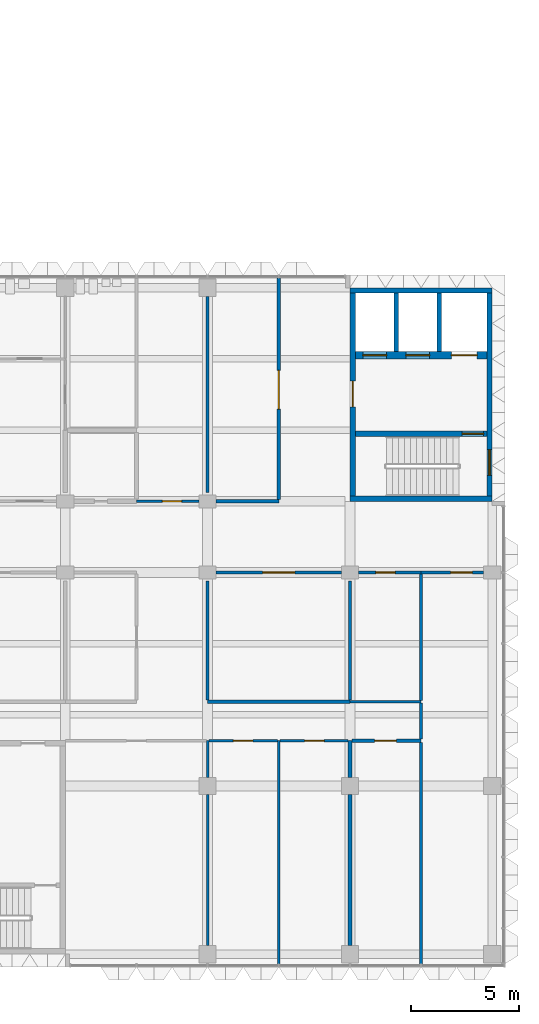
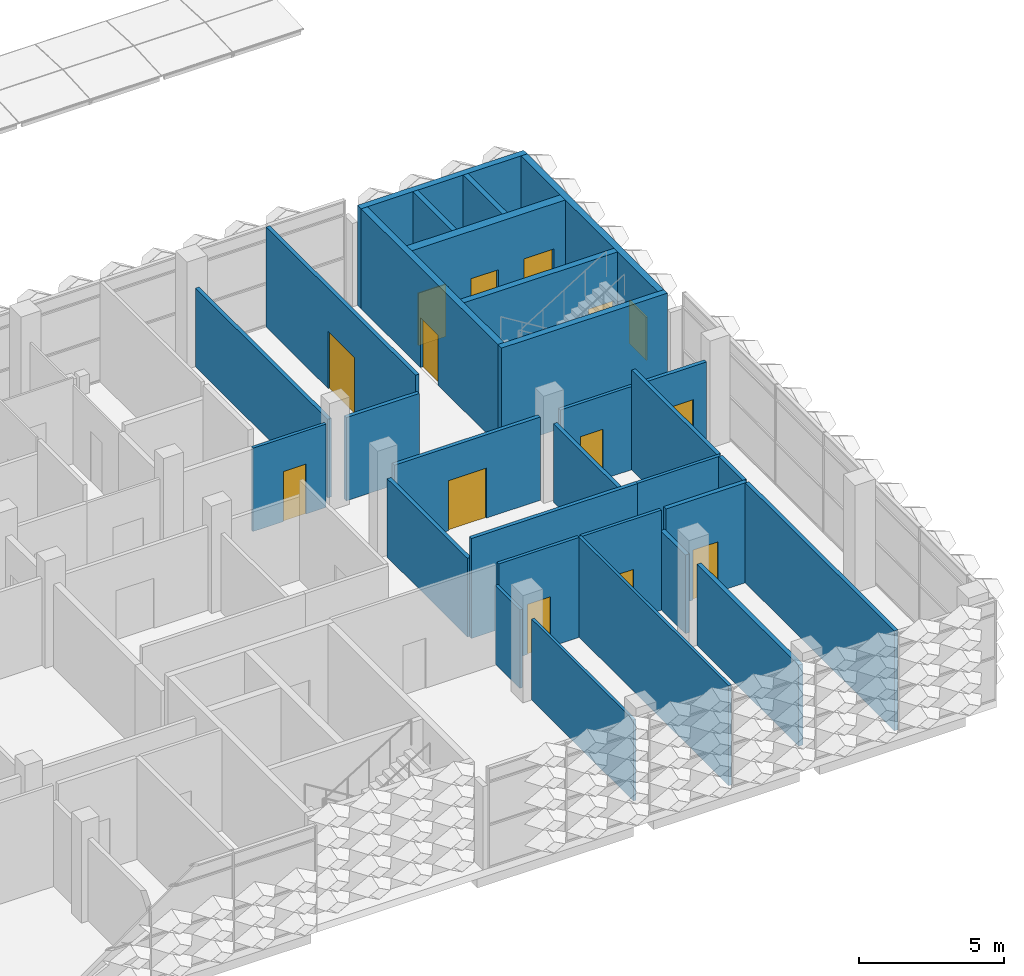
# One storey, part 24 of 61: 30 walls, 13 doors, 1 window, 14 openings.
"""IFC4 building model written with IfcOpenShell, lengths in metres."""

from ifc_helpers import new_model, si_unit, direction, frame, frame_2d, origin, place, context, subcontext, project, spatial, rectangle, extrude, material, layer, layer_set, type_object, element, fill, save


model = new_model("IFC4")

# Units and contexts
model_context = context("Model", 3, precision=1e-05, world=origin(), true_north=direction((0.0, 1.0)))
body_context = subcontext(model_context, "Body", "Model", "MODEL_VIEW")
ifc_project = project(units=[si_unit("LENGTHUNIT", "METRE"), si_unit("AREAUNIT", "SQUARE_METRE"), si_unit("VOLUMEUNIT", "CUBIC_METRE"), si_unit("PLANEANGLEUNIT", "RADIAN"), si_unit("MASSUNIT", "GRAM", prefix="KILO")], contexts=[model_context])

# Site, building, storey
site_placement = place(None, origin())
site = spatial("IfcSite", under=ifc_project, at=site_placement, CompositionType="ELEMENT")
building_placement = place(site_placement, origin())
building = spatial("IfcBuilding", under=site, at=building_placement, Name="Lantern Court Research Institute", CompositionType="ELEMENT")
storey_placement = place(building_placement, frame((0.0, 0.0, 23.39990234375)))
storey = spatial("IfcBuildingStorey", under=building, at=storey_placement, Name="L05", CompositionType="ELEMENT", Elevation=23.39990234375)

# Walls
ifc_material_1 = material(Name="Double-stud acoustic gypsum board partition, mineral wool filled")
ifc_layer_1 = layer(ifc_material_1, 0.175048828125)
ifc_layer_set_1 = layer_set([ifc_layer_1], Name="Double-stud acoustic gypsum board partition, mineral wool filled")
wall_type_1 = type_object("IfcWallType", Name="Acoustic partition 175 EI 60", PredefinedType="PARTITIONING", material=ifc_layer_set_1)
wall_1_placement = place(storey_placement, frame((72.60009765625, -7.39990234375, 0.0), z_axis=(0.0, 0.0, 1.0), x_axis=(0.0, 1.0, 0.0)))
element("IfcWall", 1, at=wall_1_placement, inside=storey, type_object=wall_type_1, Name="Acoustic partition 175 EI 60", PredefinedType="PARTITIONING", context=body_context, shape_type="SweptSolid", body=[
    extrude(rectangle(XDim=7.0, YDim=0.175048828125, at=frame_2d((3.5, 0.0))), origin(), (0.0, 0.0, 1.0), 3.400146484375),
])
wall_2_placement = place(storey_placement, frame((72.60009765625, 0.39990234375, 0.0), z_axis=(0.0, 0.0, 1.0), x_axis=(0.0, 1.0, 0.0)))
element("IfcWall", 2, at=wall_2_placement, inside=storey, type_object=wall_type_1, Name="Acoustic partition 175 EI 60", PredefinedType="PARTITIONING", context=body_context, shape_type="SweptSolid", body=[
    extrude(rectangle(XDim=1.7001953125, YDim=0.175048828125, at=frame_2d((0.85009765625, 0.0))), origin(), (0.0, 0.0, 1.0), 3.300048828125),
])

# Wall, opening, door
wall_3_placement = place(storey_placement, frame((75.89990234375, 2.10009765625, 0.0), z_axis=(0.0, 0.0, 1.0), x_axis=(-1.0, 0.0, 0.0)))
wall_3 = element("IfcWall", 3, at=wall_3_placement, inside=storey, type_object=wall_type_1, Name="Acoustic partition 175 EI 60", PredefinedType="PARTITIONING", context=body_context, shape_type="SweptSolid", body=[
    extrude(rectangle(XDim=3.21240234375, YDim=0.175048828125, at=frame_2d((1.606201171875, 0.0))), origin(), (0.0, 0.0, 1.0), 4.2001953125),
])
opening_1_placement = place(wall_3_placement, frame((1.14990234375, 0.0, 0.0)))
opening_1 = element("IfcOpeningElement", 4, at=opening_1_placement, cuts=wall_3, Name="Opening D5512", PredefinedType="OPENING", context=body_context, shape_type="SweptSolid", body=[
    extrude(rectangle(XDim=1.0, YDim=2.10009765625, at=frame_2d((0.5, 1.050048828125))), frame((0.0, 0.097412109375, 0.0), z_axis=(0.0, -1.0, 0.0), x_axis=(1.0, 0.0, 0.0)), (0.0, 0.0, 1.0), 0.195068359375),
])
ifc_material_2 = material(Name="Solid-core timber door leaf", Category="wood")
ifc_layer_2 = layer(ifc_material_2, 0.053955078125)
ifc_layer_set_2 = layer_set([ifc_layer_2], Name="Solid-core timber door leaf")
door_type_1 = type_object("IfcDoorType", Name="Meeting room door 1000 x 2100 single FD30S", OperationType="NOTDEFINED", PredefinedType="DOOR", material=ifc_layer_set_2)
door_1_placement = place(opening_1_placement, origin())
door_1 = element("IfcDoor", 5, at=door_1_placement, inside=storey, type_object=door_type_1, Name="Door D5512", OperationType="SINGLE_SWING_LEFT", OverallHeight=2.10009765625, OverallWidth=1.0, PredefinedType="DOOR", context=body_context, shape_type="SweptSolid", body=[
    extrude(rectangle(XDim=1.0, YDim=2.10009765625, at=frame_2d((0.5, 1.050048828125))), frame((0.0, 0.02685546875, 0.0), z_axis=(0.0, -1.0, 0.0), x_axis=(1.0, 0.0, 0.0)), (0.0, 0.0, 1.0), 0.053955078125),
])
fill(opening_1, door_1)

ifc_material_3 = material(Name="Fire-rated gypsum board partition, mineral wool filled")
ifc_layer_3 = layer(ifc_material_3, 0.125)
ifc_layer_set_3 = layer_set([ifc_layer_3], Name="Fire-rated gypsum board partition, mineral wool filled")
wall_type_2 = type_object("IfcWallType", Name="Corridor partition 125 EI 60", PredefinedType="PARTITIONING", material=ifc_layer_set_3)
wall_4_placement = place(storey_placement, frame((62.699951171875, 13.199951171875, 0.0), z_axis=(0.0, 0.0, 1.0), x_axis=(1.0, 0.0, 0.0)))
wall_4 = element("IfcWall", 6, at=wall_4_placement, inside=storey, type_object=wall_type_2, Name="Corridor partition 125 EI 60", PredefinedType="PARTITIONING", context=body_context, shape_type="SweptSolid", body=[
    extrude(rectangle(XDim=2.900146484375, YDim=0.125, at=frame_2d((1.4501953125, 0.0))), origin(), (0.0, 0.0, 1.0), 3.5),
])
opening_2_placement = place(wall_4_placement, frame((1.199951171875, 0.0, 0.0)))
opening_2 = element("IfcOpeningElement", 7, at=opening_2_placement, cuts=wall_4, Name="Opening D5507", PredefinedType="OPENING", context=body_context, shape_type="SweptSolid", body=[
    extrude(rectangle(XDim=0.89990234375, YDim=2.10009765625, at=frame_2d((0.449951171875, 1.050048828125))), frame((0.0, 0.072509765625, 0.0), z_axis=(0.0, -1.0, 0.0), x_axis=(1.0, 0.0, 0.0)), (0.0, 0.0, 1.0), 0.14501953125),
])
ifc_material_4 = material(Name="Solid-core timber door leaf", Category="wood")
ifc_layer_4 = layer(ifc_material_4, 0.053955078125)
ifc_layer_set_4 = layer_set([ifc_layer_4], Name="Solid-core timber door leaf")
door_type_2 = type_object("IfcDoorType", Name="Office door 900 x 2100 single FD30S", OperationType="NOTDEFINED", PredefinedType="DOOR", material=ifc_layer_set_4)
door_2_placement = place(opening_2_placement, origin())
door_2 = element("IfcDoor", 8, at=door_2_placement, inside=storey, type_object=door_type_2, Name="Door D5507", OperationType="SINGLE_SWING_RIGHT", OverallHeight=2.10009765625, OverallWidth=0.89990234375, PredefinedType="DOOR", context=body_context, shape_type="SweptSolid", body=[
    extrude(rectangle(XDim=0.89990234375, YDim=2.10009765625, at=frame_2d((0.449951171875, 1.050048828125))), frame((0.0, 0.02685546875, 0.0), z_axis=(0.0, -1.0, 0.0), x_axis=(1.0, 0.0, 0.0)), (0.0, 0.0, 1.0), 0.053955078125),
])
fill(opening_2, door_2)

wall_5_placement = place(storey_placement, frame((75.89990234375, 9.89990234375, 0.0), z_axis=(0.0, 0.0, 1.0), x_axis=(-1.0, 0.0, 0.0)))
wall_5 = element("IfcWall", 9, at=wall_5_placement, inside=storey, type_object=wall_type_2, Name="Corridor partition 125 EI 60", PredefinedType="PARTITIONING", context=body_context, shape_type="SweptSolid", body=[
    extrude(rectangle(XDim=2.89990234375, YDim=0.125, at=frame_2d((1.449951171875, 0.0))), origin(), (0.0, 0.0, 1.0), 3.5),
])
opening_3_placement = place(wall_5_placement, frame((1.199951171875, 0.0, 0.0)))
opening_3 = element("IfcOpeningElement", 10, at=opening_3_placement, cuts=wall_5, Name="Opening D5516", PredefinedType="OPENING", context=body_context, shape_type="SweptSolid", body=[
    extrude(rectangle(XDim=0.89990234375, YDim=2.10009765625, at=frame_2d((0.449951171875, 1.050048828125))), frame((0.0, 0.072509765625, 0.0), z_axis=(0.0, -1.0, 0.0), x_axis=(1.0, 0.0, 0.0)), (0.0, 0.0, 1.0), 0.14501953125),
])
door_3_placement = place(opening_3_placement, origin())
door_3 = element("IfcDoor", 11, at=door_3_placement, inside=storey, type_object=door_type_2, Name="Door D5516", OperationType="SINGLE_SWING_RIGHT", OverallHeight=2.10009765625, OverallWidth=0.89990234375, PredefinedType="DOOR", context=body_context, shape_type="SweptSolid", body=[
    extrude(rectangle(XDim=0.89990234375, YDim=2.10009765625, at=frame_2d((0.449951171875, 1.050048828125))), frame((0.0, 0.02685546875, 0.0), z_axis=(0.0, -1.0, 0.0), x_axis=(1.0, 0.0, 0.0)), (0.0, 0.0, 1.0), 0.053955078125),
])
fill(opening_3, door_3)

wall_6_placement = place(storey_placement, frame((69.2451171875, 2.10009765625, 0.0), z_axis=(0.0, 0.0, 1.0), x_axis=(-1.0, 0.0, 0.0)))
wall_6 = element("IfcWall", 12, at=wall_6_placement, inside=storey, type_object=wall_type_2, Name="Corridor partition 125 EI 60", PredefinedType="PARTITIONING", context=body_context, shape_type="SweptSolid", body=[
    extrude(rectangle(XDim=3.190185546875, YDim=0.125, at=frame_2d((1.59521484375, 0.0))), origin(), (0.0, 0.0, 1.0), 4.2001953125),
])
opening_4_placement = place(wall_6_placement, frame((1.14501953125, 0.0, 0.0)))
opening_4 = element("IfcOpeningElement", 13, at=opening_4_placement, cuts=wall_6, Name="Opening D5510", PredefinedType="OPENING", context=body_context, shape_type="SweptSolid", body=[
    extrude(rectangle(XDim=0.89990234375, YDim=2.10009765625, at=frame_2d((0.449951171875, 1.050048828125))), frame((0.0, 0.072509765625, 0.0), z_axis=(0.0, -1.0, 0.0), x_axis=(1.0, 0.0, 0.0)), (0.0, 0.0, 1.0), 0.14501953125),
])
door_4_placement = place(opening_4_placement, origin())
door_4 = element("IfcDoor", 14, at=door_4_placement, inside=storey, type_object=door_type_2, Name="Door D5510", OperationType="SINGLE_SWING_LEFT", OverallHeight=2.10009765625, OverallWidth=0.89990234375, PredefinedType="DOOR", context=body_context, shape_type="SweptSolid", body=[
    extrude(rectangle(XDim=0.89990234375, YDim=2.10009765625, at=frame_2d((0.449951171875, 1.050048828125))), frame((0.0, 0.02685546875, 0.0), z_axis=(0.0, -1.0, 0.0), x_axis=(1.0, 0.0, 0.0)), (0.0, 0.0, 1.0), 0.053955078125),
])
fill(opening_4, door_4)

wall_7_placement = place(storey_placement, frame((72.512451171875, 2.10009765625, 0.0), z_axis=(0.0, 0.0, 1.0), x_axis=(-1.0, 0.0, 0.0)))
wall_7 = element("IfcWall", 15, at=wall_7_placement, inside=storey, type_object=wall_type_2, Name="Corridor partition 125 EI 60", PredefinedType="PARTITIONING", context=body_context, shape_type="SweptSolid", body=[
    extrude(rectangle(XDim=3.157470703125, YDim=0.125, at=frame_2d((1.57861328125, 0.0))), origin(), (0.0, 0.0, 1.0), 4.2001953125),
])
opening_5_placement = place(wall_7_placement, frame((1.112548828125, 0.0, 0.0)))
opening_5 = element("IfcOpeningElement", 16, at=opening_5_placement, cuts=wall_7, Name="Opening D5511", PredefinedType="OPENING", context=body_context, shape_type="SweptSolid", body=[
    extrude(rectangle(XDim=0.89990234375, YDim=2.10009765625, at=frame_2d((0.449951171875, 1.050048828125))), frame((0.0, 0.072509765625, 0.0), z_axis=(0.0, -1.0, 0.0), x_axis=(1.0, 0.0, 0.0)), (0.0, 0.0, 1.0), 0.14501953125),
])
door_5_placement = place(opening_5_placement, origin())
door_5 = element("IfcDoor", 17, at=door_5_placement, inside=storey, type_object=door_type_2, Name="Door D5511", OperationType="SINGLE_SWING_LEFT", OverallHeight=2.10009765625, OverallWidth=0.89990234375, PredefinedType="DOOR", context=body_context, shape_type="SweptSolid", body=[
    extrude(rectangle(XDim=0.89990234375, YDim=2.10009765625, at=frame_2d((0.449951171875, 1.050048828125))), frame((0.0, 0.02685546875, 0.0), z_axis=(0.0, -1.0, 0.0), x_axis=(1.0, 0.0, 0.0)), (0.0, 0.0, 1.0), 0.053955078125),
])
fill(opening_5, door_5)

# Walls
wall_8_placement = place(storey_placement, frame((75.89990234375, 3.89990234375, 0.0), z_axis=(0.0, 0.0, 1.0), x_axis=(-1.0, 0.0, 0.0)))
element("IfcWall", 18, at=wall_8_placement, inside=storey, type_object=wall_type_2, Name="Corridor partition 125 EI 60", PredefinedType="PARTITIONING", context=body_context, shape_type="SweptSolid", body=[
    extrude(rectangle(XDim=3.2998046875, YDim=0.125, at=frame_2d((1.64990234375, 0.0))), origin(), (0.0, 0.0, 1.0), 4.2001953125),
])
ifc_material_5 = material(Name="Fire-rated gypsum board partition, mineral wool filled")
ifc_layer_5 = layer(ifc_material_5, 0.14990234375)
ifc_layer_set_5 = layer_set([ifc_layer_5], Name="Fire-rated gypsum board partition, mineral wool filled")
wall_type_3 = type_object("IfcWallType", Name="Laboratory partition 150 EI 60", PredefinedType="PARTITIONING", material=ifc_layer_set_5)
wall_9_placement = place(storey_placement, frame((69.300048828125, 13.199951171875, 0.0), z_axis=(0.0, 0.0, 1.0), x_axis=(-1.0, 0.0, 0.0)))
element("IfcWall", 19, at=wall_9_placement, inside=storey, type_object=wall_type_3, Name="Laboratory partition 150 EI 60", PredefinedType="PARTITIONING", context=body_context, shape_type="SweptSolid", body=[
    extrude(rectangle(XDim=2.900146484375, YDim=0.14990234375, at=frame_2d((1.4501953125, 0.0))), origin(), (0.0, 0.0, 1.0), 3.5),
])

# Wall, opening, door
wall_10_placement = place(storey_placement, frame((66.39990234375, 9.89990234375, 0.0), z_axis=(0.0, 0.0, 1.0), x_axis=(1.0, 0.0, 0.0)))
wall_10 = element("IfcWall", 20, at=wall_10_placement, inside=storey, type_object=wall_type_3, Name="Laboratory partition 150 EI 60", PredefinedType="PARTITIONING", context=body_context, shape_type="SweptSolid", body=[
    extrude(rectangle(XDim=5.800048828125, YDim=0.14990234375, at=frame_2d((2.89990234375, 0.0))), origin(), (0.0, 0.0, 1.0), 3.5),
])
opening_6_placement = place(wall_10_placement, frame((2.14990234375, 0.0, 0.0)))
opening_6 = element("IfcOpeningElement", 21, at=opening_6_placement, cuts=wall_10, Name="Opening D5515", PredefinedType="OPENING", context=body_context, shape_type="SweptSolid", body=[
    extrude(rectangle(XDim=1.5, YDim=2.10009765625, at=frame_2d((0.75, 1.050048828125))), frame((0.0, 0.0849609375, 0.0), z_axis=(0.0, -1.0, 0.0), x_axis=(1.0, 0.0, 0.0)), (0.0, 0.0, 1.0), 0.169921875),
])
ifc_material_6 = material(Name="Solid-core timber door leaf with vision panel", Category="wood")
ifc_layer_6 = layer(ifc_material_6, 0.053955078125)
ifc_layer_set_6 = layer_set([ifc_layer_6], Name="Solid-core timber door leaf with vision panel")
door_type_3 = type_object("IfcDoorType", Name="Laboratory double door 1500 x 2100 pair FD30S", OperationType="DOUBLE_DOOR_SINGLE_SWING", PredefinedType="DOOR", material=ifc_layer_set_6)
door_6_placement = place(opening_6_placement, origin())
door_6 = element("IfcDoor", 22, at=door_6_placement, inside=storey, type_object=door_type_3, Name="Door D5515", OperationType="DOUBLE_DOOR_SINGLE_SWING", OverallHeight=2.10009765625, OverallWidth=1.5, PredefinedType="DOOR", context=body_context, shape_type="SweptSolid", body=[
    extrude(rectangle(XDim=1.5, YDim=2.10009765625, at=frame_2d((0.75, 1.050048828125))), frame((0.0, 0.02685546875, 0.0), z_axis=(0.0, -1.0, 0.0), x_axis=(1.0, 0.0, 0.0)), (0.0, 0.0, 1.0), 0.053955078125),
])
fill(opening_6, door_6)

wall_11_placement = place(storey_placement, frame((75.89990234375, 9.89990234375, 0.0), z_axis=(0.0, 0.0, 1.0), x_axis=(1.0, 0.0, 0.0)))
wall_11 = element("IfcWall", 23, at=wall_11_placement, inside=storey, type_object=wall_type_3, Name="Laboratory partition 150 EI 60", PredefinedType="PARTITIONING", context=body_context, shape_type="SweptSolid", body=[
    extrude(rectangle(XDim=2.900146484375, YDim=0.14990234375, at=frame_2d((1.4501953125, 0.0))), origin(), (0.0, 0.0, 1.0), 3.5),
])
opening_7_placement = place(wall_11_placement, frame((1.375, 0.0, 0.0)))
opening_7 = element("IfcOpeningElement", 24, at=opening_7_placement, cuts=wall_11, Name="Opening D5517", PredefinedType="OPENING", context=body_context, shape_type="SweptSolid", body=[
    extrude(rectangle(XDim=1.0, YDim=2.10009765625, at=frame_2d((0.5, 1.050048828125))), frame((0.0, 0.0849609375, 0.0), z_axis=(0.0, -1.0, 0.0), x_axis=(1.0, 0.0, 0.0)), (0.0, 0.0, 1.0), 0.169921875),
])
ifc_material_7 = material(Name="Solid-core timber door leaf with vision panel", Category="wood")
ifc_layer_7 = layer(ifc_material_7, 0.053955078125)
ifc_layer_set_7 = layer_set([ifc_layer_7], Name="Solid-core timber door leaf with vision panel")
door_type_4 = type_object("IfcDoorType", Name="Laboratory door 1000 x 2100 single FD30S", OperationType="NOTDEFINED", PredefinedType="DOOR", material=ifc_layer_set_7)
door_7_placement = place(opening_7_placement, origin())
door_7 = element("IfcDoor", 25, at=door_7_placement, inside=storey, type_object=door_type_4, Name="Door D5517", OperationType="SINGLE_SWING_LEFT", OverallHeight=2.10009765625, OverallWidth=1.0, PredefinedType="DOOR", context=body_context, shape_type="SweptSolid", body=[
    extrude(rectangle(XDim=1.0, YDim=2.10009765625, at=frame_2d((0.5, 1.050048828125))), frame((0.0, 0.02685546875, 0.0), z_axis=(0.0, -1.0, 0.0), x_axis=(1.0, 0.0, 0.0)), (0.0, 0.0, 1.0), 0.053955078125),
])
fill(opening_7, door_7)

# Wall
wall_12_placement = place(storey_placement, frame((66.0, 13.60009765625, 0.0), z_axis=(0.0, 0.0, 1.0), x_axis=(0.0, 1.0, 0.0)))
element("IfcWall", 26, at=wall_12_placement, inside=storey, type_object=wall_type_3, Name="Laboratory partition 150 EI 60", PredefinedType="PARTITIONING", context=body_context, shape_type="SweptSolid", body=[
    extrude(rectangle(XDim=9.099853515625, YDim=0.14990234375, at=frame_2d((4.5498046875, 0.0))), origin(), (0.0, 0.0, 1.0), 3.300048828125),
])

# Wall, opening, door
wall_13_placement = place(storey_placement, frame((69.300048828125, 23.550048828125, 0.0), z_axis=(0.0, 0.0, 1.0), x_axis=(0.0, -1.0, 0.0)))
wall_13 = element("IfcWall", 27, at=wall_13_placement, inside=storey, type_object=wall_type_3, Name="Laboratory partition 150 EI 60", PredefinedType="PARTITIONING", context=body_context, shape_type="SweptSolid", body=[
    extrude(rectangle(XDim=10.275146484375, YDim=0.14990234375, at=frame_2d((5.1376953125, 0.0))), origin(), (0.0, 0.0, 1.0), 4.2001953125),
])
opening_8_placement = place(wall_13_placement, frame((4.27490234375, 0.0, 0.0)))
opening_8 = element("IfcOpeningElement", 28, at=opening_8_placement, cuts=wall_13, Name="Opening D5508", PredefinedType="OPENING", context=body_context, shape_type="SweptSolid", body=[
    extrude(rectangle(XDim=1.800048828125, YDim=2.39990234375, at=frame_2d((0.89990234375, 1.199951171875))), frame((0.0, 0.0849609375, 0.0), z_axis=(0.0, -1.0, 0.0), x_axis=(1.0, 0.0, 0.0)), (0.0, 0.0, 1.0), 0.169921875),
])
ifc_material_8 = material(Name="Solid-core timber door leaf with vision panel", Category="wood")
ifc_layer_8 = layer(ifc_material_8, 0.053955078125)
ifc_layer_set_8 = layer_set([ifc_layer_8], Name="Solid-core timber door leaf with vision panel")
door_type_5 = type_object("IfcDoorType", Name="Laboratory equipment door 1800 x 2400 pair FD30S", OperationType="DOUBLE_DOOR_SINGLE_SWING", PredefinedType="DOOR", material=ifc_layer_set_8)
door_8_placement = place(opening_8_placement, origin())
door_8 = element("IfcDoor", 29, at=door_8_placement, inside=storey, type_object=door_type_5, Name="Door D5508", OperationType="DOUBLE_DOOR_SINGLE_SWING", OverallHeight=2.39990234375, OverallWidth=1.800048828125, PredefinedType="DOOR", context=body_context, shape_type="SweptSolid", body=[
    extrude(rectangle(XDim=1.800048828125, YDim=2.39990234375, at=frame_2d((0.89990234375, 1.199951171875))), frame((0.0, 0.02685546875, 0.0), z_axis=(0.0, -1.0, 0.0), x_axis=(1.0, 0.0, 0.0)), (0.0, 0.0, 1.0), 0.053955078125),
])
fill(opening_8, door_8)

# Walls
wall_14_placement = place(storey_placement, frame((75.89990234375, -8.25, 0.0), z_axis=(0.0, 0.0, 1.0), x_axis=(0.0, 1.0, 0.0)))
element("IfcWall", 30, at=wall_14_placement, inside=storey, type_object=wall_type_3, Name="Laboratory partition 150 EI 60", PredefinedType="PARTITIONING", context=body_context, shape_type="SweptSolid", body=[
    extrude(rectangle(XDim=10.262451171875, YDim=0.14990234375, at=frame_2d((5.13134765625, 0.0))), origin(), (0.0, 0.0, 1.0), 4.2001953125),
])
wall_15_placement = place(storey_placement, frame((72.60009765625, 3.89990234375, 0.0), z_axis=(0.0, 0.0, 1.0), x_axis=(-1.0, 0.0, 0.0)))
element("IfcWall", 31, at=wall_15_placement, inside=storey, type_object=wall_type_3, Name="Laboratory partition 150 EI 60", PredefinedType="PARTITIONING", context=body_context, shape_type="SweptSolid", body=[
    extrude(rectangle(XDim=6.60009765625, YDim=0.14990234375, at=frame_2d((3.300048828125, 0.0))), origin(), (0.0, 0.0, 1.0), 4.2001953125),
])
wall_16_placement = place(storey_placement, frame((75.89990234375, 2.1875, 0.0), z_axis=(0.0, 0.0, 1.0), x_axis=(0.0, 1.0, 0.0)))
element("IfcWall", 32, at=wall_16_placement, inside=storey, type_object=wall_type_3, Name="Laboratory partition 150 EI 60", PredefinedType="PARTITIONING", context=body_context, shape_type="SweptSolid", body=[
    extrude(rectangle(XDim=1.64990234375, YDim=0.14990234375, at=frame_2d((0.824951171875, 0.0))), origin(), (0.0, 0.0, 1.0), 4.2001953125),
])
for number, where, z_axis, x_axis, name in (
    (33, (66.0, 3.97509765625, 0.0), (0.0, 0.0, 1.0), (0.0, 1.0, 0.0), "Laboratory partition 150 EI 60"),
    (34, (72.60009765625, 3.97509765625, 0.0), (0.0, 0.0, 1.0), (0.0, 1.0, 0.0), "Laboratory partition 150 EI 60"),
):
    element("IfcWall", number, at=place(storey_placement, frame(where, z_axis=z_axis, x_axis=x_axis)), inside=storey, type_object=wall_type_3, Name=name, PredefinedType="PARTITIONING", context=body_context, shape_type="SweptSolid", body=[
        extrude(rectangle(XDim=5.52490234375, YDim=0.14990234375, at=frame_2d((2.762451171875, 0.0))), origin(), (0.0, 0.0, 1.0), 3.300048828125),
    ])
wall_17_placement = place(storey_placement, frame((75.89990234375, 3.96240234375, 0.0), z_axis=(0.0, 0.0, 1.0), x_axis=(0.0, 1.0, 0.0)))
element("IfcWall", 35, at=wall_17_placement, inside=storey, type_object=wall_type_3, Name="Laboratory partition 150 EI 60", PredefinedType="PARTITIONING", context=body_context, shape_type="SweptSolid", body=[
    extrude(rectangle(XDim=5.862548828125, YDim=0.14990234375, at=frame_2d((2.93115234375, 0.0))), origin(), (0.0, 0.0, 1.0), 4.2001953125),
])
ifc_material_9 = material(Name="Fire-rated gypsum board partition, mineral wool filled")
ifc_layer_9 = layer(ifc_material_9, 0.110107421875)
ifc_layer_set_9 = layer_set([ifc_layer_9], Name="Fire-rated gypsum board partition, mineral wool filled")
wall_type_4 = type_object("IfcWallType", Name="Office partition 110 EI 30", PredefinedType="PARTITIONING", material=ifc_layer_set_9)
wall_18_placement = place(storey_placement, frame((66.0, -7.39990234375, 0.0), z_axis=(0.0, 0.0, 1.0), x_axis=(0.0, 1.0, 0.0)))
element("IfcWall", 36, at=wall_18_placement, inside=storey, type_object=wall_type_4, Name="Office partition 110 EI 30", PredefinedType="PARTITIONING", context=body_context, shape_type="SweptSolid", body=[
    extrude(rectangle(XDim=7.0, YDim=0.110107421875, at=frame_2d((3.5, 0.0))), origin(), (0.0, 0.0, 1.0), 3.400146484375),
])
wall_19_placement = place(storey_placement, frame((66.0, 0.39990234375, 0.0), z_axis=(0.0, 0.0, 1.0), x_axis=(0.0, 1.0, 0.0)))
element("IfcWall", 37, at=wall_19_placement, inside=storey, type_object=wall_type_4, Name="Office partition 110 EI 30", PredefinedType="PARTITIONING", context=body_context, shape_type="SweptSolid", body=[
    extrude(rectangle(XDim=1.7001953125, YDim=0.110107421875, at=frame_2d((0.85009765625, 0.0))), origin(), (0.0, 0.0, 1.0), 3.300048828125),
])
wall_20_placement = place(storey_placement, frame((69.300048828125, -8.25, 0.0), z_axis=(0.0, 0.0, 1.0), x_axis=(0.0, 1.0, 0.0)))
element("IfcWall", 38, at=wall_20_placement, inside=storey, type_object=wall_type_4, Name="Office partition 110 EI 30", PredefinedType="PARTITIONING", context=body_context, shape_type="SweptSolid", body=[
    extrude(rectangle(XDim=10.35009765625, YDim=0.110107421875, at=frame_2d((5.175048828125, 0.0))), origin(), (0.0, 0.0, 1.0), 4.2001953125),
])
ifc_material_10 = material(Name="Concrete C40/50", Category="concrete")
ifc_layer_10 = layer(ifc_material_10, 0.25)
ifc_layer_set_10 = layer_set([ifc_layer_10], Name="Concrete C40/50")
wall_type_5 = type_object("IfcWallType", Name="RC core wall 250", PredefinedType="SHEAR", material=ifc_layer_set_10)
wall_21_placement = place(storey_placement, frame((72.60009765625, 13.324951171875, 0.0), z_axis=(0.0, 0.0, 1.0), x_axis=(1.0, 0.0, 0.0)))
element("IfcWall", 39, at=wall_21_placement, inside=storey, type_object=wall_type_5, Name="South wall of core TC-E", PredefinedType="SHEAR", context=body_context, shape_type="SweptSolid", body=[
    extrude(rectangle(XDim=6.599853515625, YDim=0.25, at=frame_2d((3.2998046875, 0.0))), origin(), (0.0, 0.0, 1.0), 4.2001953125),
])

# Wall, opening, door
wall_22_placement = place(storey_placement, frame((72.72509765625, 13.449951171875, 0.0), z_axis=(0.0, 0.0, 1.0), x_axis=(0.0, 1.0, 0.0)))
wall_22 = element("IfcWall", 40, at=wall_22_placement, inside=storey, type_object=wall_type_5, Name="West wall of core TC-E", PredefinedType="SHEAR", context=body_context, shape_type="SweptSolid", body=[
    extrude(rectangle(XDim=9.400146484375, YDim=0.25, at=frame_2d((4.7001953125, 0.0))), origin(), (0.0, 0.0, 1.0), 4.2001953125),
])
opening_9_placement = place(wall_22_placement, frame((4.125, 0.0, 0.0)))
opening_9 = element("IfcOpeningElement", 41, at=opening_9_placement, cuts=wall_22, Name="Opening D7172", PredefinedType="OPENING", context=body_context, shape_type="SweptSolid", body=[
    extrude(rectangle(XDim=1.199951171875, YDim=2.10009765625, at=frame_2d((0.60009765625, 1.050048828125))), frame((0.0, 0.135009765625, 0.0), z_axis=(0.0, -1.0, 0.0), x_axis=(1.0, 0.0, 0.0)), (0.0, 0.0, 1.0), 0.27001953125),
])
ifc_material_11 = material(Name="Steel fire door leaf with smoke seals", Category="steel")
door_type_6 = type_object("IfcDoorType", Name="Door 1200 x 2100 fire rated FD60S", OperationType="NOTDEFINED", PredefinedType="DOOR", material=ifc_material_11)
door_9_placement = place(opening_9_placement, origin())
door_9 = element("IfcDoor", 42, at=door_9_placement, inside=storey, type_object=door_type_6, Name="Lobby door", OperationType="SINGLE_SWING_LEFT", OverallHeight=2.10009765625, OverallWidth=1.199951171875, PredefinedType="DOOR", context=body_context, shape_type="SweptSolid", body=[
    extrude(rectangle(XDim=1.199951171875, YDim=2.10009765625, at=frame_2d((0.60009765625, 1.050048828125))), frame((0.0, 0.02490234375, 0.0), z_axis=(0.0, -1.0, 0.0), x_axis=(1.0, 0.0, 0.0)), (0.0, 0.0, 1.0), 0.050048828125),
])
fill(opening_9, door_9)

# Wall
ifc_material_12 = material(Name="Concrete C40/50", Category="concrete")
ifc_layer_11 = layer(ifc_material_12, 0.25)
ifc_layer_set_11 = layer_set([ifc_layer_11], Name="Concrete C40/50")
wall_type_6 = type_object("IfcWallType", Name="RC core wall 250 facade", PredefinedType="SHEAR", material=ifc_layer_set_11)
wall_23_placement = place(storey_placement, frame((72.60009765625, 22.97509765625, 0.0), z_axis=(0.0, 0.0, 1.0), x_axis=(1.0, 0.0, 0.0)))
element("IfcWall", 43, at=wall_23_placement, inside=storey, type_object=wall_type_6, Name="North wall of core TC-E", PredefinedType="SHEAR", context=body_context, shape_type="SweptSolid", body=[
    extrude(rectangle(XDim=6.599853515625, YDim=0.25, at=frame_2d((3.2998046875, 0.0))), origin(), (0.0, 0.0, 1.0), 4.2001953125),
])

# Wall, opening, window
wall_24_placement = place(storey_placement, frame((79.074951171875, 13.449951171875, 0.0), z_axis=(0.0, 0.0, 1.0), x_axis=(0.0, 1.0, 0.0)))
wall_24 = element("IfcWall", 44, at=wall_24_placement, inside=storey, type_object=wall_type_6, Name="East wall of core TC-E", PredefinedType="SHEAR", context=body_context, shape_type="SweptSolid", body=[
    extrude(rectangle(XDim=9.400146484375, YDim=0.25, at=frame_2d((4.7001953125, 0.0))), origin(), (0.0, 0.0, 1.0), 4.2001953125),
])
opening_10_placement = place(wall_24_placement, frame((0.949951171875, 0.0, 0.699951171875)))
opening_10 = element("IfcOpeningElement", 45, at=opening_10_placement, cuts=wall_24, Name="Opening W7", PredefinedType="OPENING", context=body_context, shape_type="SweptSolid", body=[
    extrude(rectangle(XDim=1.199951171875, YDim=1.800048828125, at=frame_2d((0.60009765625, 0.89990234375))), frame((0.0, 0.135009765625, 0.0), z_axis=(0.0, -1.0, 0.0), x_axis=(1.0, 0.0, 0.0)), (0.0, 0.0, 1.0), 0.27001953125),
])
ifc_material_13 = material(Name="Aluminium alloy 6063-T6 frame with laminated glass", Category="aluminium")
window_type = type_object("IfcWindowType", Name="Stair window 1200 x 1800", PartitioningType="SINGLE_PANEL", PredefinedType="WINDOW", material=ifc_material_13)
window_placement = place(opening_10_placement, origin())
window = element("IfcWindow", 46, at=window_placement, inside=storey, type_object=window_type, Name="Stair window", OverallHeight=1.800048828125, OverallWidth=1.199951171875, PartitioningType="SINGLE_PANEL", PredefinedType="WINDOW", context=body_context, shape_type="SweptSolid", body=[
    extrude(rectangle(XDim=1.199951171875, YDim=1.800048828125, at=frame_2d((0.60009765625, 0.89990234375))), frame((0.0, 0.030029296875, 0.0), z_axis=(0.0, -1.0, 0.0), x_axis=(1.0, 0.0, 0.0)), (0.0, 0.0, 1.0), 0.06005859375),
])
fill(opening_10, window)

# Walls
ifc_material_14 = material(Name="Concrete C40/50", Category="concrete")
ifc_layer_12 = layer(ifc_material_14, 0.199951171875)
ifc_layer_set_12 = layer_set([ifc_layer_12], Name="Concrete C40/50")
wall_type_7 = type_object("IfcWallType", Name="RC shaft wall 200", PredefinedType="SHEAR", material=ifc_layer_set_12)
for number, where, z_axis, x_axis, name in (
    (47, (74.75, 20.14990234375, 0.0), (0.0, 0.0, 1.0), (0.0, 1.0, 0.0), "Lift shaft wall of core TC-E"),
    (48, (76.75, 20.14990234375, 0.0), (0.0, 0.0, 1.0), (0.0, 1.0, 0.0), "Lift shaft wall of core TC-E"),
):
    element("IfcWall", number, at=place(storey_placement, frame(where, z_axis=z_axis, x_axis=x_axis)), inside=storey, type_object=wall_type_7, Name=name, PredefinedType="SHEAR", context=body_context, shape_type="SweptSolid", body=[
        extrude(rectangle(XDim=2.7001953125, YDim=0.199951171875, at=frame_2d((1.35009765625, 0.0))), origin(), (0.0, 0.0, 1.0), 4.2001953125),
    ])

# Wall, opening, door
ifc_material_15 = material(Name="Concrete C40/50", Category="concrete")
ifc_layer_13 = layer(ifc_material_15, 0.25)
ifc_layer_set_13 = layer_set([ifc_layer_13], Name="Concrete C40/50")
wall_type_8 = type_object("IfcWallType", Name="RC shaft wall 250", PredefinedType="SHEAR", material=ifc_layer_set_13)
wall_25_placement = place(storey_placement, frame((72.85009765625, 16.324951171875, 0.0), z_axis=(0.0, 0.0, 1.0), x_axis=(1.0, 0.0, 0.0)))
wall_25 = element("IfcWall", 49, at=wall_25_placement, inside=storey, type_object=wall_type_8, Name="Stair wall of core TC-E", PredefinedType="SHEAR", context=body_context, shape_type="SweptSolid", body=[
    extrude(rectangle(XDim=6.099853515625, YDim=0.25, at=frame_2d((3.0498046875, 0.0))), origin(), (0.0, 0.0, 1.0), 4.2001953125),
])
opening_11_placement = place(wall_25_placement, frame((4.949951171875, 0.0, 0.0)))
opening_11 = element("IfcOpeningElement", 50, at=opening_11_placement, cuts=wall_25, Name="Opening D7173", PredefinedType="OPENING", context=body_context, shape_type="SweptSolid", body=[
    extrude(rectangle(XDim=1.0, YDim=2.199951171875, at=frame_2d((0.5, 1.10009765625))), frame((0.0, 0.135009765625, 0.0), z_axis=(0.0, -1.0, 0.0), x_axis=(1.0, 0.0, 0.0)), (0.0, 0.0, 1.0), 0.27001953125),
])
ifc_material_16 = material(Name="Steel fire door leaf with smoke seals", Category="steel")
door_type_7 = type_object("IfcDoorType", Name="Door 1000 x 2200 fire rated FD60S", OperationType="NOTDEFINED", PredefinedType="DOOR", material=ifc_material_16)
door_10_placement = place(opening_11_placement, origin())
door_10 = element("IfcDoor", 51, at=door_10_placement, inside=storey, type_object=door_type_7, Name="Stair door", OperationType="SINGLE_SWING_RIGHT", OverallHeight=2.199951171875, OverallWidth=1.0, PredefinedType="DOOR", context=body_context, shape_type="SweptSolid", body=[
    extrude(rectangle(XDim=1.0, YDim=2.199951171875, at=frame_2d((0.5, 1.10009765625))), frame((0.0, 0.02490234375, 0.0), z_axis=(0.0, -1.0, 0.0), x_axis=(1.0, 0.0, 0.0)), (0.0, 0.0, 1.0), 0.050048828125),
])
fill(opening_11, door_10)

# Wall, openings, doors
ifc_material_17 = material(Name="Concrete C40/50", Category="concrete")
ifc_layer_14 = layer(ifc_material_17, 0.35009765625)
ifc_layer_set_14 = layer_set([ifc_layer_14], Name="Concrete C40/50")
wall_type_9 = type_object("IfcWallType", Name="RC shaft wall 350", PredefinedType="SHEAR", material=ifc_layer_set_14)
wall_26_placement = place(storey_placement, frame((72.85009765625, 19.97509765625, 0.0), z_axis=(0.0, 0.0, 1.0), x_axis=(1.0, 0.0, 0.0)))
wall_26 = element("IfcWall", 52, at=wall_26_placement, inside=storey, type_object=wall_type_9, Name="Lift shaft wall of core TC-E", PredefinedType="SHEAR", context=body_context, shape_type="SweptSolid", body=[
    extrude(rectangle(XDim=6.099853515625, YDim=0.35009765625, at=frame_2d((3.0498046875, 0.0))), origin(), (0.0, 0.0, 1.0), 4.2001953125),
])
opening_12_placement = place(wall_26_placement, frame((0.35009765625, 0.0, 0.0)))
opening_12 = element("IfcOpeningElement", 53, at=opening_12_placement, cuts=wall_26, Name="Opening D7174", PredefinedType="OPENING", context=body_context, shape_type="SweptSolid", body=[
    extrude(rectangle(XDim=1.10009765625, YDim=2.199951171875, at=frame_2d((0.550048828125, 1.10009765625))), frame((0.0, 0.18505859375, 0.0), z_axis=(0.0, -1.0, 0.0), x_axis=(1.0, 0.0, 0.0)), (0.0, 0.0, 1.0), 0.3701171875),
])
opening_13_placement = place(wall_26_placement, frame((2.35009765625, 0.0, 0.0)))
opening_13 = element("IfcOpeningElement", 54, at=opening_13_placement, cuts=wall_26, Name="Opening D7175", PredefinedType="OPENING", context=body_context, shape_type="SweptSolid", body=[
    extrude(rectangle(XDim=1.10009765625, YDim=2.199951171875, at=frame_2d((0.550048828125, 1.10009765625))), frame((0.0, 0.18505859375, 0.0), z_axis=(0.0, -1.0, 0.0), x_axis=(1.0, 0.0, 0.0)), (0.0, 0.0, 1.0), 0.3701171875),
])
opening_14_placement = place(wall_26_placement, frame((4.449951171875, 0.0, 0.0)))
opening_14 = element("IfcOpeningElement", 55, at=opening_14_placement, cuts=wall_26, Name="Opening D7176", PredefinedType="OPENING", context=body_context, shape_type="SweptSolid", body=[
    extrude(rectangle(XDim=1.199951171875, YDim=2.300048828125, at=frame_2d((0.60009765625, 1.14990234375))), frame((0.0, 0.18505859375, 0.0), z_axis=(0.0, -1.0, 0.0), x_axis=(1.0, 0.0, 0.0)), (0.0, 0.0, 1.0), 0.3701171875),
])
ifc_material_18 = material(Name="Stainless steel landing door panels", Category="steel")
door_type_8 = type_object("IfcDoorType", Name="Lift landing door 1100 x 2200 sliding FD60", OperationType="DOUBLE_DOOR_SLIDING", PredefinedType="NOTDEFINED", material=ifc_material_18)
door_11_placement = place(opening_12_placement, origin())
door_11 = element("IfcDoor", 56, at=door_11_placement, inside=storey, type_object=door_type_8, Name="Landing door", OperationType="DOUBLE_DOOR_SLIDING", OverallHeight=2.199951171875, OverallWidth=1.10009765625, PredefinedType="NOTDEFINED", context=body_context, shape_type="SweptSolid", body=[
    extrude(rectangle(XDim=1.10009765625, YDim=2.199951171875, at=frame_2d((0.550048828125, 1.10009765625))), frame((0.0, 0.02490234375, 0.0), z_axis=(0.0, -1.0, 0.0), x_axis=(1.0, 0.0, 0.0)), (0.0, 0.0, 1.0), 0.050048828125),
])
fill(opening_12, door_11)
door_12_placement = place(opening_13_placement, origin())
door_12 = element("IfcDoor", 57, at=door_12_placement, inside=storey, type_object=door_type_8, Name="Landing door", OperationType="DOUBLE_DOOR_SLIDING", OverallHeight=2.199951171875, OverallWidth=1.10009765625, PredefinedType="NOTDEFINED", context=body_context, shape_type="SweptSolid", body=[
    extrude(rectangle(XDim=1.10009765625, YDim=2.199951171875, at=frame_2d((0.550048828125, 1.10009765625))), frame((0.0, 0.02490234375, 0.0), z_axis=(0.0, -1.0, 0.0), x_axis=(1.0, 0.0, 0.0)), (0.0, 0.0, 1.0), 0.050048828125),
])
fill(opening_13, door_12)
ifc_material_19 = material(Name="Stainless steel landing door panels", Category="steel")
door_type_9 = type_object("IfcDoorType", Name="Lift landing door 1200 x 2300 sliding FD60", OperationType="DOUBLE_DOOR_SLIDING", PredefinedType="NOTDEFINED", material=ifc_material_19)
door_13_placement = place(opening_14_placement, origin())
door_13 = element("IfcDoor", 58, at=door_13_placement, inside=storey, type_object=door_type_9, Name="Landing door", OperationType="DOUBLE_DOOR_SLIDING", OverallHeight=2.300048828125, OverallWidth=1.199951171875, PredefinedType="NOTDEFINED", context=body_context, shape_type="SweptSolid", body=[
    extrude(rectangle(XDim=1.199951171875, YDim=2.300048828125, at=frame_2d((0.60009765625, 1.14990234375))), frame((0.0, 0.02490234375, 0.0), z_axis=(0.0, -1.0, 0.0), x_axis=(1.0, 0.0, 0.0)), (0.0, 0.0, 1.0), 0.050048828125),
])
fill(opening_14, door_13)

save(model, "model.ifc")
